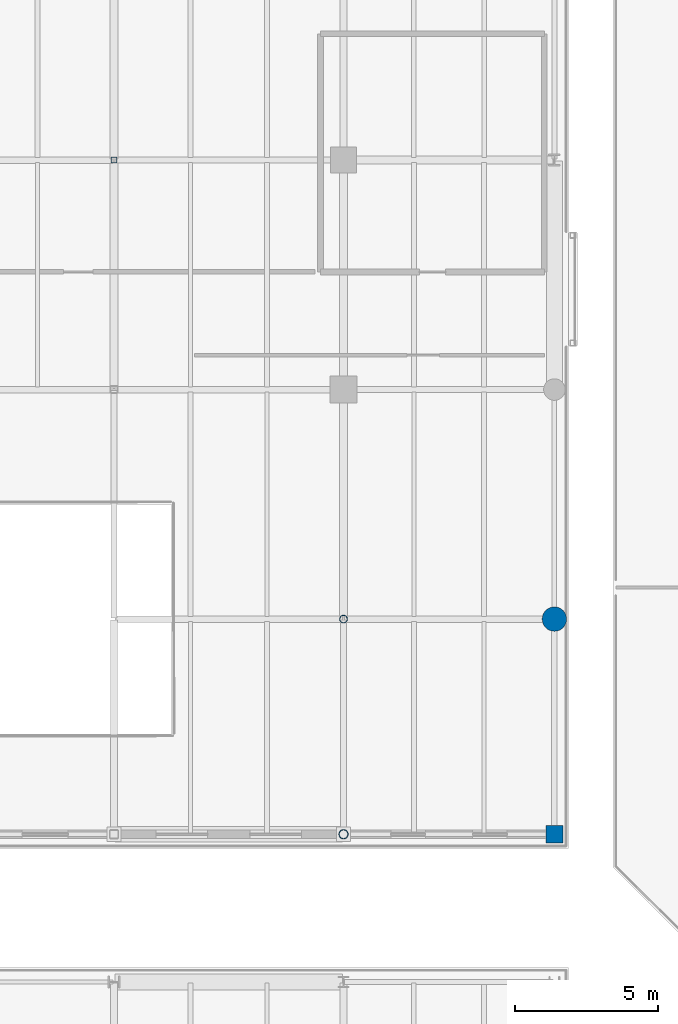
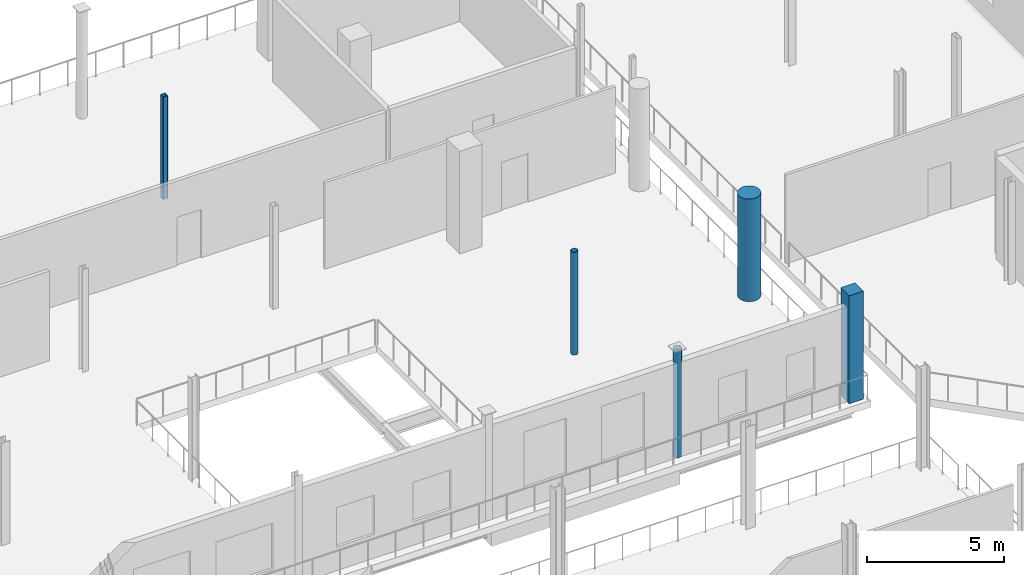
# One storey, part 7 of 93: 5 columns.
"""IFC4 building model written with IfcOpenShell, lengths in metres."""

import ifcopenshell
import ifcopenshell.guid

model = None  # the IFC model being written
_history = None  # IfcOwnerHistory: only IFC2X3 demands one
_inside = {}  # id of a spatial element -> (the spatial element, [elements in it])
_under = {}  # id of a project, library or spatial element -> (it, [spatial elements below it])
_declared = {}  # id of a project -> (the project, [libraries it declares])
_typed = {}  # id of a type object -> (the type object, [elements of that type])
_made_of = {}  # id of a material, layer set ... -> (it, [elements and type objects made of it])


def new_model(schema):
    """Start an empty IFC model of exactly this schema.

    Asked for "IFC4X3", IfcOpenShell would pick the latest addendum, in which some entities
    have other attributes; the version numbers below select the first issue.
    IFC2X3 requires an IfcOwnerHistory on every rooted entity: one is made here for all.
    """
    global model, _history
    if schema == "IFC4X3":
        model = ifcopenshell.file(schema_version=(4, 3, 0, 0))
    else:
        model = ifcopenshell.file(schema=schema)
    _inside.clear()
    _under.clear()
    _declared.clear()
    _typed.clear()
    _made_of.clear()
    _history = None
    if model.schema == "IFC2X3":
        org = make("IfcOrganization", Name="unknown")
        user = make(
            "IfcPersonAndOrganization",
            ThePerson=make("IfcPerson", FamilyName="unknown"),
            TheOrganization=org,
        )
        app = make(
            "IfcApplication",
            ApplicationDeveloper=org,
            Version="unknown",
            ApplicationFullName="unknown",
            ApplicationIdentifier="unknown",
        )
        _history = make(
            "IfcOwnerHistory",
            OwningUser=user,
            OwningApplication=app,
            ChangeAction="ADDED",
            CreationDate=0,
        )
    return model


def make(cls, **values):
    """One entity of the class cls with the attributes given. An attribute that is None is left unset."""
    return model.create_entity(
        cls, **{name: value for name, value in values.items() if value is not None}
    )


def rooted(cls, **values):
    """An entity with a GlobalId (a new one), such as an element, a storey or a relation."""
    return make(cls, GlobalId=ifcopenshell.guid.new(), OwnerHistory=_history, **values)


def si_unit(unit_type, name, prefix=None):
    """IfcSIUnit, for example si_unit("LENGTHUNIT", "METRE", prefix="MILLI")."""
    return make("IfcSIUnit", UnitType=unit_type, Prefix=prefix, Name=name)


def assignment(units):
    """IfcUnitAssignment: the units of a project."""
    return None if units is None else make("IfcUnitAssignment", Units=units)


def point(xyz):
    """IfcCartesianPoint."""
    return None if xyz is None else make("IfcCartesianPoint", Coordinates=xyz)


def direction(xyz):
    """IfcDirection."""
    return None if xyz is None else make("IfcDirection", DirectionRatios=xyz)


def frame(location, z_axis=None, x_axis=None):
    """IfcAxis2Placement3D, a coordinate frame: its origin and axes. An axis left out is left unset."""
    return make(
        "IfcAxis2Placement3D",
        Location=point(location),
        Axis=direction(z_axis),
        RefDirection=direction(x_axis),
    )


def frame_2d(location, x_axis=None):
    """IfcAxis2Placement2D, a coordinate frame in the plane: its origin and x axis."""
    return make(
        "IfcAxis2Placement2D", Location=point(location), RefDirection=direction(x_axis)
    )


def origin():
    """The frame at (0, 0, 0) with its axes left unset."""
    return frame((0.0, 0.0, 0.0))


def origin_2d():
    """The frame at (0, 0) in the plane with its x axis left unset."""
    return frame_2d((0.0, 0.0))


def place(relative_to, where):
    """IfcLocalPlacement: puts the frame where relative to a parent placement (None: the world)."""
    return make(
        "IfcLocalPlacement", PlacementRelTo=relative_to, RelativePlacement=where
    )


def context(
    kind, dimensions, precision=None, world=None, true_north=None, identifier=None
):
    """IfcGeometricRepresentationContext, for example the 3D "Model" context."""
    return make(
        "IfcGeometricRepresentationContext",
        ContextIdentifier=identifier,
        ContextType=kind,
        CoordinateSpaceDimension=dimensions,
        Precision=precision,
        WorldCoordinateSystem=world,
        TrueNorth=true_north,
    )


def subcontext(parent, identifier, kind, view, scale=None):
    """IfcGeometricRepresentationSubContext, for example "Body" below "Model"."""
    return make(
        "IfcGeometricRepresentationSubContext",
        ContextIdentifier=identifier,
        ContextType=kind,
        ParentContext=parent,
        TargetScale=scale,
        TargetView=view,
    )


def project(units=None, contexts=None):
    """IfcProject with its units and contexts."""
    return rooted(
        "IfcProject",
        Name="project",
        RepresentationContexts=contexts,
        UnitsInContext=assignment(units),
    )


def spatial(cls, under=None, at=None, **own):
    """A site, building, storey or space (cls), placed at a placement, below another one or the project."""
    s = rooted(cls, ObjectPlacement=at, **own)
    if under is not None:
        _under.setdefault(under.id(), (under, []))[1].append(s)
    return s


def profile(cls, at=None, kind="AREA", **sizes):
    """A parametric profile (cls). Its sizes go by their IFC names, for example OverallWidth=200.0."""
    return make(cls, ProfileType=kind, Position=at, **sizes)


def rectangle(**sizes):
    """IfcRectangleProfileDef."""
    return profile("IfcRectangleProfileDef", **sizes)


def hollow_rectangle(**sizes):
    """IfcRectangleHollowProfileDef."""
    return profile("IfcRectangleHollowProfileDef", **sizes)


def circle(**sizes):
    """IfcCircleProfileDef."""
    return profile("IfcCircleProfileDef", **sizes)


def hollow_circle(**sizes):
    """IfcCircleHollowProfileDef."""
    return profile("IfcCircleHollowProfileDef", **sizes)


def extrude(swept, where, along, depth):
    """IfcExtrudedAreaSolid: the profile swept, set in the frame where, extruded along a direction by depth."""
    return make(
        "IfcExtrudedAreaSolid",
        SweptArea=swept,
        Position=where,
        ExtrudedDirection=direction(along),
        Depth=depth,
    )


def shape(context_of_items, identifier, shape_type, items):
    """IfcShapeRepresentation: the items that make up one representation, for example the "Body"."""
    return make(
        "IfcShapeRepresentation",
        ContextOfItems=context_of_items,
        RepresentationIdentifier=identifier,
        RepresentationType=shape_type,
        Items=items,
    )


def material(Name=None, Category=None):
    """IfcMaterial."""
    return make("IfcMaterial", Name=Name, Category=Category)


def material_profile(
    of_material, cross_section, Name=None, Category=None, Priority=None
):
    """IfcMaterialProfile: a cross section and its material."""
    return make(
        "IfcMaterialProfile",
        Name=Name,
        Material=of_material,
        Profile=cross_section,
        Priority=Priority,
        Category=Category,
    )


def profile_set(profiles, Name=None, composite=None):
    """IfcMaterialProfileSet."""
    return make(
        "IfcMaterialProfileSet",
        Name=Name,
        MaterialProfiles=profiles,
        CompositeProfile=composite,
    )


def made_of(thing, what):
    """Note that an element or type object is made of a material, layer set ...; save() writes the relation."""
    if what is not None:
        _made_of.setdefault(what.id(), (what, []))[1].append(thing)
    return thing


def type_object(cls, material=None, **own):
    """A type object (cls), such as IfcWallType, which elements share."""
    return made_of(rooted(cls, **own), material)


def element(
    cls,
    number,
    at=None,
    inside=None,
    cuts=None,
    type_object=None,
    material=None,
    context=None,
    identifier="Body",
    shape_type=None,
    held_by="IfcProductDefinitionShape",
    body=None,
    shapes=None,
    **own,
):
    """One element of the class cls, such as IfcWall. Its Tag is "e" and its number.

    at: its placement. inside: the storey or other place that contains it. cuts: it is an
    opening in that element (IfcRelVoidsElement). A single representation is given by context,
    identifier, shape_type and body (its items); several are given by shapes. held_by: the class
    of the entity that holds the representations. save() writes the other relations.
    """
    e = rooted(cls, Tag="e%d" % number, ObjectPlacement=at, **own)
    if body is not None:
        shapes = [shape(context, identifier, shape_type, body)]
    if shapes is not None:
        e.Representation = make(held_by, Representations=shapes)
    if inside is not None:
        _inside.setdefault(inside.id(), (inside, []))[1].append(e)
    if cuts is not None:
        rooted(
            "IfcRelVoidsElement", RelatingBuildingElement=cuts, RelatedOpeningElement=e
        )
    if type_object is not None:
        _typed.setdefault(type_object.id(), (type_object, []))[1].append(e)
    return made_of(e, material)


def aggregate(whole, parts):
    """IfcRelAggregates: a whole, such as a stair, and the parts it consists of."""
    return rooted("IfcRelAggregates", RelatingObject=whole, RelatedObjects=parts)


def save(model, path):
    """Write the relations noted so far, then the file.

    IfcRelAggregates (storeys below a building ...), IfcRelContainedInSpatialStructure (elements
    in a storey), IfcRelDefinesByType, IfcRelAssociatesMaterial and IfcRelDeclares: one each for
    every whole, place, type object, material and project.
    """
    for whole, parts in _under.values():
        aggregate(whole, parts)
    for where, things in _inside.values():
        rooted(
            "IfcRelContainedInSpatialStructure",
            RelatedElements=things,
            RelatingStructure=where,
        )
    for kind, things in _typed.values():
        rooted("IfcRelDefinesByType", RelatedObjects=things, RelatingType=kind)
    for what, things in _made_of.values():
        rooted("IfcRelAssociatesMaterial", RelatedObjects=things, RelatingMaterial=what)
    for by, libraries in _declared.values():
        rooted("IfcRelDeclares", RelatingContext=by, RelatedDefinitions=libraries)
    model.write(path)


model = new_model("IFC4")

# Units and contexts
model_context = context("Model", 3, precision=1e-05, world=origin(), true_north=direction((0.0, 1.0)))
body_context = subcontext(model_context, "Body", "Model", "MODEL_VIEW")
ifc_project = project(units=[si_unit("LENGTHUNIT", "METRE"), si_unit("AREAUNIT", "SQUARE_METRE"), si_unit("VOLUMEUNIT", "CUBIC_METRE"), si_unit("PLANEANGLEUNIT", "RADIAN"), si_unit("MASSUNIT", "GRAM", prefix="KILO")], contexts=[model_context])

# Site, building, storey
site_placement = place(None, origin())
site = spatial("IfcSite", under=ifc_project, at=site_placement, CompositionType="ELEMENT")
building_placement = place(site_placement, origin())
building = spatial("IfcBuilding", under=site, at=building_placement, Name="Brisemont Oceanarium", CompositionType="ELEMENT")
storey_placement = place(building_placement, frame((0.0, 0.0, 5.39990234375)))
storey = spatial("IfcBuildingStorey", under=building, at=storey_placement, Name="L01", CompositionType="ELEMENT", Elevation=5.39990234375)

# Columns
ifc_material_1 = material(Name="Structural Steel ASTM A500 Gr.C", Category="steel")
ifc_material_profile_1 = material_profile(ifc_material_1, hollow_circle(Radius=0.136474609375, WallThickness=0.01171875, at=origin_2d()), Name="HSS10.750X0.500")
ifc_profile_set_1 = profile_set([ifc_material_profile_1], Name="Structural Steel ASTM A500 Gr.C")
column_type_1 = type_object("IfcColumnType", Name="COL-CHS10", PredefinedType="COLUMN", material=ifc_profile_set_1)
column_1_placement = place(storey_placement, frame((48.0, 44.0, 0.0), z_axis=(0.0, 0.0, 1.0), x_axis=(0.0, 1.0, 0.0)))
element("IfcColumn", 1, at=column_1_placement, inside=storey, type_object=column_type_1, Name="V5W L01 column (4,1)", PredefinedType="COLUMN", context=body_context, shape_type="SweptSolid", body=[
    extrude(hollow_circle(Radius=0.136474609375, WallThickness=0.01171875, at=origin_2d()), origin(), (0.0, 0.0, 1.0), 4.56005859375),
])
ifc_material_2 = material(Name="Structural Steel ASTM A500 Gr.C", Category="steel")
ifc_material_profile_2 = material_profile(ifc_material_2, hollow_circle(Radius=0.162109375, WallThickness=0.01171875, at=origin_2d()), Name="HSS12.750X0.500")
ifc_profile_set_2 = profile_set([ifc_material_profile_2], Name="Structural Steel ASTM A500 Gr.C")
column_type_2 = type_object("IfcColumnType", Name="COL-CHS12", PredefinedType="COLUMN", material=ifc_profile_set_2)
column_2_placement = place(storey_placement, frame((48.0, 36.5, 0.0), z_axis=(0.0, 0.0, 1.0), x_axis=(1.0, 0.0, 0.0)))
element("IfcColumn", 2, at=column_2_placement, inside=storey, type_object=column_type_2, Name="V5W L01 column (4,0)", PredefinedType="COLUMN", context=body_context, shape_type="SweptSolid", body=[
    extrude(hollow_circle(Radius=0.162109375, WallThickness=0.01171875, at=origin_2d()), origin(), (0.0, 0.0, 1.0), 4.800048828125),
])
ifc_material_3 = material(Name="Structural Steel ASTM A500 Gr.C", Category="steel")
ifc_material_profile_3 = material_profile(ifc_material_3, hollow_rectangle(XDim=0.202880859375, YDim=0.202880859375, WallThickness=0.0087890625, InnerFilletRadius=0.009033203125, OuterFilletRadius=0.01806640625, at=origin_2d()), Name="HSS8X8X3/8")
ifc_profile_set_3 = profile_set([ifc_material_profile_3], Name="Structural Steel ASTM A500 Gr.C")
column_type_3 = type_object("IfcColumnType", Name="COL-HSS8X8", PredefinedType="COLUMN", material=ifc_profile_set_3)
column_3_placement = place(storey_placement, frame((40.0, 60.0, 0.0), z_axis=(0.0, 0.0, 1.0), x_axis=(1.0, 0.0, 0.0)))
element("IfcColumn", 3, at=column_3_placement, inside=storey, type_object=column_type_3, Name="V5W L01 column (3,3)", PredefinedType="COLUMN", context=body_context, shape_type="SweptSolid", body=[
    extrude(hollow_rectangle(XDim=0.202880859375, YDim=0.202880859375, WallThickness=0.0087890625, InnerFilletRadius=0.009033203125, OuterFilletRadius=0.01806640625, at=origin_2d()), origin(), (0.0, 0.0, 1.0), 4.56005859375),
])
ifc_material_4 = material(Name="Concrete C35/45", Category="concrete")
ifc_material_profile_4 = material_profile(ifc_material_4, rectangle(XDim=0.60009765625, YDim=0.60009765625, at=origin_2d()), Name="RC-COL-600X600")
ifc_profile_set_4 = profile_set([ifc_material_profile_4], Name="Concrete C35/45")
column_type_4 = type_object("IfcColumnType", Name="COL-RC600", PredefinedType="COLUMN", material=ifc_profile_set_4)
column_4_placement = place(storey_placement, frame((55.35009765625, 36.5, 0.0), z_axis=(0.0, 0.0, 1.0), x_axis=(0.0, 1.0, 0.0)))
element("IfcColumn", 4, at=column_4_placement, inside=storey, type_object=column_type_4, Name="V5W L01 column (5,0)", PredefinedType="COLUMN", context=body_context, shape_type="SweptSolid", body=[
    extrude(rectangle(XDim=0.60009765625, YDim=0.60009765625, at=origin_2d()), origin(), (0.0, 0.0, 1.0), 4.800048828125),
])
ifc_material_5 = material(Name="Concrete C40/50", Category="concrete")
ifc_material_profile_5 = material_profile(ifc_material_5, circle(Radius=0.425048828125, at=origin_2d()), Name="RC-COL-D850")
ifc_profile_set_5 = profile_set([ifc_material_profile_5], Name="Concrete C40/50")
column_type_5 = type_object("IfcColumnType", Name="COL-RCD850", PredefinedType="COLUMN", material=ifc_profile_set_5)
column_5_placement = place(storey_placement, frame((55.35009765625, 44.0, 0.0), z_axis=(0.0, 0.0, 1.0), x_axis=(1.0, 0.0, 0.0)))
element("IfcColumn", 5, at=column_5_placement, inside=storey, type_object=column_type_5, Name="V5W L01 column (5,1)", PredefinedType="COLUMN", context=body_context, shape_type="SweptSolid", body=[
    extrude(circle(Radius=0.425048828125, at=origin_2d()), origin(), (0.0, 0.0, 1.0), 4.56005859375),
])

save(model, "model.ifc")
